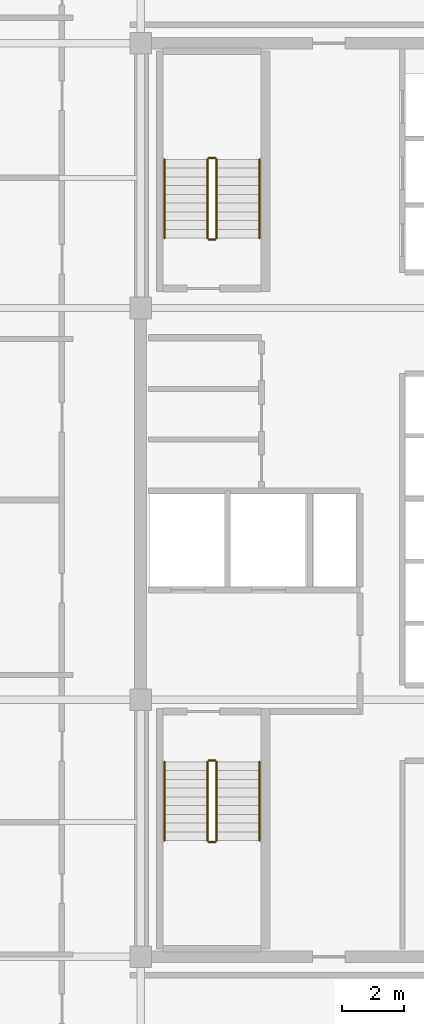
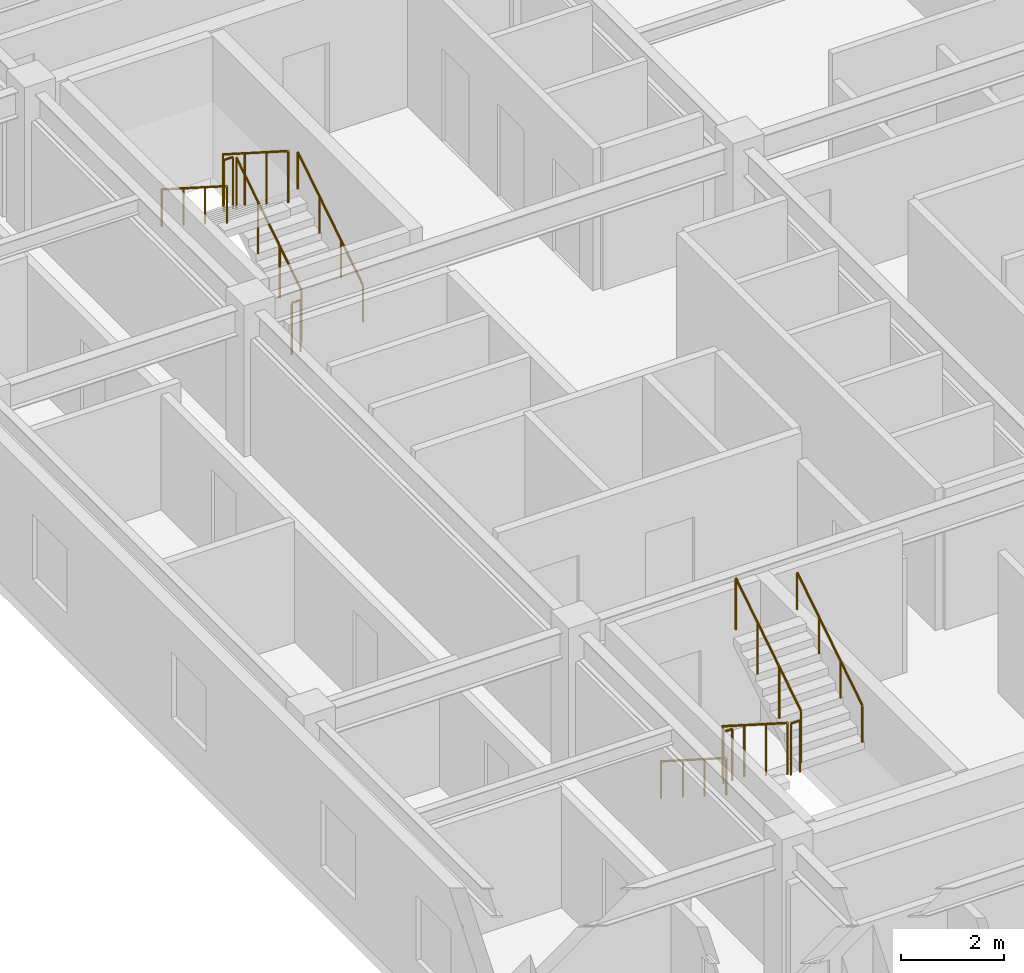
# One storey, part 9 of 9: 12 railings.
"""IFC4 building model written with IfcOpenShell, lengths in metres."""

from ifc_helpers import new_model, si_unit, direction, frame, origin, origin_2d, place, context, subcontext, project, spatial, circle, extrude, material, type_object, element, save


model = new_model("IFC4")

# Units and contexts
model_context = context("Model", 3, precision=1e-05, world=origin(), true_north=direction((0.0, 1.0)))
body_context = subcontext(model_context, "Body", "Model", "MODEL_VIEW")
ifc_project = project(units=[si_unit("LENGTHUNIT", "METRE"), si_unit("AREAUNIT", "SQUARE_METRE"), si_unit("VOLUMEUNIT", "CUBIC_METRE"), si_unit("PLANEANGLEUNIT", "RADIAN"), si_unit("MASSUNIT", "GRAM", prefix="KILO")], contexts=[model_context])

# Site, building, storey
site_placement = place(None, origin())
site = spatial("IfcSite", under=ifc_project, at=site_placement, CompositionType="ELEMENT")
building_placement = place(site_placement, origin())
building = spatial("IfcBuilding", under=site, at=building_placement, Name="Ochreholt Gables", CompositionType="ELEMENT")
storey_placement = place(building_placement, frame((0.0, 0.0, 162.60009765625)))
storey = spatial("IfcBuildingStorey", under=building, at=storey_placement, Name="L42", CompositionType="ELEMENT", Elevation=162.60009765625)

# Railings
ifc_material_1 = material(Name="Painted Steel Stair Guardrail", Category="steel")
railing_type_1 = type_object("IfcRailingType", Name="RL-ST-GUARD", PredefinedType="GUARDRAIL", material=ifc_material_1)
railing_1_placement = place(storey_placement, frame((26.35009765625, 15.5400390625, 0.179931640625)))
element("IfcRailing", 1, at=railing_1_placement, inside=storey, type_object=railing_type_1, Name="L42 ST-1 stair guard 1", PredefinedType="GUARDRAIL", context=body_context, shape_type="SweptSolid", body=[
    extrude(circle(Radius=0.02392578125, at=origin_2d()), frame((0.0, 0.0, 1.22607421875), z_axis=(0.0, -0.842949592929, 0.537992549931), x_axis=(1.0, 0.0, 0.0)), (0.0, 0.0, 1.0), 3.010986328125),
    extrude(circle(Radius=0.02099609375, at=origin_2d()), origin(), (0.0, 0.0, 1.0), 1.201904296875),
    extrude(circle(Radius=0.02099609375, at=origin_2d()), frame((0.0, -0.845947265625, 0.5400390625)), (0.0, 0.0, 1.0), 1.201904296875),
    extrude(circle(Radius=0.02099609375, at=origin_2d()), frame((0.0, -1.692138671875, 1.079833984375)), (0.0, 0.0, 1.0), 1.201904296875),
    extrude(circle(Radius=0.02099609375, at=origin_2d()), frame((0.0, -2.5380859375, 1.619873046875)), (0.0, 0.0, 1.0), 1.201904296875),
])
railing_2_placement = place(storey_placement, frame((26.39990234375, 12.951904296875, 1.7998046875)))
element("IfcRailing", 2, at=railing_2_placement, inside=storey, type_object=railing_type_1, Name="L42 ST-1 stair guard 2", PredefinedType="GUARDRAIL", context=body_context, shape_type="SweptSolid", body=[
    extrude(circle(Radius=0.02392578125, at=origin_2d()), frame((0.0, 0.0, 1.22607421875), z_axis=(1.0, 0.0, 0.0), x_axis=(0.0, 1.0, 0.0)), (0.0, 0.0, 1.0), 0.2001953125),
    extrude(circle(Radius=0.02099609375, at=origin_2d()), origin(), (0.0, 0.0, 1.0), 1.201904296875),
    extrude(circle(Radius=0.02099609375, at=origin_2d()), frame((0.2001953125, 0.0, 0.0)), (0.0, 0.0, 1.0), 1.201904296875),
])
railing_3_placement = place(storey_placement, frame((26.64990234375, 13.001953125, 1.97998046875)))
element("IfcRailing", 3, at=railing_3_placement, inside=storey, type_object=railing_type_1, Name="L42 ST-1 stair guard 3", PredefinedType="GUARDRAIL", context=body_context, shape_type="SweptSolid", body=[
    extrude(circle(Radius=0.02392578125, at=origin_2d()), frame((0.0, 0.0, 1.22607421875), z_axis=(0.0, 0.842949592929, 0.537992549931), x_axis=(-1.0, 0.0, 0.0)), (0.0, 0.0, 1.0), 3.010986328125),
    extrude(circle(Radius=0.02099609375, at=origin_2d()), origin(), (0.0, 0.0, 1.0), 1.201904296875),
    extrude(circle(Radius=0.02099609375, at=origin_2d()), frame((0.0, 0.845947265625, 0.5400390625)), (0.0, 0.0, 1.0), 1.201904296875),
    extrude(circle(Radius=0.02099609375, at=origin_2d()), frame((0.0, 1.692138671875, 1.079833984375)), (0.0, 0.0, 1.0), 1.201904296875),
    extrude(circle(Radius=0.02099609375, at=origin_2d()), frame((0.0, 2.5380859375, 1.619873046875)), (0.0, 0.0, 1.0), 1.201904296875),
])
railing_4_placement = place(storey_placement, frame((26.39990234375, 15.590087890625, 0.0)))
element("IfcRailing", 4, at=railing_4_placement, inside=storey, type_object=railing_type_1, Name="L42 ST-1 stair guard 4", PredefinedType="GUARDRAIL", context=body_context, shape_type="SweptSolid", body=[
    extrude(circle(Radius=0.02392578125, at=origin_2d()), frame((0.0, 0.0, 1.22607421875), z_axis=(1.0, 0.0, 0.0), x_axis=(0.0, 1.0, 0.0)), (0.0, 0.0, 1.0), 0.2001953125),
    extrude(circle(Radius=0.02099609375, at=origin_2d()), origin(), (0.0, 0.0, 1.0), 1.201904296875),
    extrude(circle(Radius=0.02099609375, at=origin_2d()), frame((0.2001953125, 0.0, 0.0)), (0.0, 0.0, 1.0), 1.201904296875),
])
railing_5_placement = place(storey_placement, frame((26.64990234375, 32.4599609375, 0.179931640625)))
element("IfcRailing", 5, at=railing_5_placement, inside=storey, type_object=railing_type_1, Name="L42 ST-2 stair guard 1", PredefinedType="GUARDRAIL", context=body_context, shape_type="SweptSolid", body=[
    extrude(circle(Radius=0.02392578125, at=origin_2d()), frame((0.0, 0.0, 1.22607421875), z_axis=(0.0, 0.842949592929, 0.537992549931), x_axis=(-1.0, 0.0, 0.0)), (0.0, 0.0, 1.0), 3.010986328125),
    extrude(circle(Radius=0.02099609375, at=origin_2d()), origin(), (0.0, 0.0, 1.0), 1.201904296875),
    extrude(circle(Radius=0.02099609375, at=origin_2d()), frame((0.0, 0.845947265625, 0.5400390625)), (0.0, 0.0, 1.0), 1.201904296875),
    extrude(circle(Radius=0.02099609375, at=origin_2d()), frame((0.0, 1.692138671875, 1.079833984375)), (0.0, 0.0, 1.0), 1.201904296875),
    extrude(circle(Radius=0.02099609375, at=origin_2d()), frame((0.0, 2.5380859375, 1.619873046875)), (0.0, 0.0, 1.0), 1.201904296875),
])
railing_6_placement = place(storey_placement, frame((26.60009765625, 35.048095703125, 1.7998046875)))
element("IfcRailing", 6, at=railing_6_placement, inside=storey, type_object=railing_type_1, Name="L42 ST-2 stair guard 2", PredefinedType="GUARDRAIL", context=body_context, shape_type="SweptSolid", body=[
    extrude(circle(Radius=0.02392578125, at=origin_2d()), frame((0.0, 0.0, 1.22607421875), z_axis=(-1.0, 0.0, 0.0), x_axis=(0.0, -1.0, 0.0)), (0.0, 0.0, 1.0), 0.2001953125),
    extrude(circle(Radius=0.02099609375, at=origin_2d()), origin(), (0.0, 0.0, 1.0), 1.201904296875),
    extrude(circle(Radius=0.02099609375, at=origin_2d()), frame((-0.2001953125, 0.0, 0.0)), (0.0, 0.0, 1.0), 1.201904296875),
])
railing_7_placement = place(storey_placement, frame((26.35009765625, 34.998046875, 1.97998046875)))
element("IfcRailing", 7, at=railing_7_placement, inside=storey, type_object=railing_type_1, Name="L42 ST-2 stair guard 3", PredefinedType="GUARDRAIL", context=body_context, shape_type="SweptSolid", body=[
    extrude(circle(Radius=0.02392578125, at=origin_2d()), frame((0.0, 0.0, 1.22607421875), z_axis=(0.0, -0.842949592929, 0.537992549931), x_axis=(1.0, 0.0, 0.0)), (0.0, 0.0, 1.0), 3.010986328125),
    extrude(circle(Radius=0.02099609375, at=origin_2d()), origin(), (0.0, 0.0, 1.0), 1.201904296875),
    extrude(circle(Radius=0.02099609375, at=origin_2d()), frame((0.0, -0.845947265625, 0.5400390625)), (0.0, 0.0, 1.0), 1.201904296875),
    extrude(circle(Radius=0.02099609375, at=origin_2d()), frame((0.0, -1.692138671875, 1.079833984375)), (0.0, 0.0, 1.0), 1.201904296875),
    extrude(circle(Radius=0.02099609375, at=origin_2d()), frame((0.0, -2.5380859375, 1.619873046875)), (0.0, 0.0, 1.0), 1.201904296875),
])
railing_8_placement = place(storey_placement, frame((26.60009765625, 32.409912109375, 0.0)))
element("IfcRailing", 8, at=railing_8_placement, inside=storey, type_object=railing_type_1, Name="L42 ST-2 stair guard 4", PredefinedType="GUARDRAIL", context=body_context, shape_type="SweptSolid", body=[
    extrude(circle(Radius=0.02392578125, at=origin_2d()), frame((0.0, 0.0, 1.22607421875), z_axis=(-1.0, 0.0, 0.0), x_axis=(0.0, -1.0, 0.0)), (0.0, 0.0, 1.0), 0.2001953125),
    extrude(circle(Radius=0.02099609375, at=origin_2d()), origin(), (0.0, 0.0, 1.0), 1.201904296875),
    extrude(circle(Radius=0.02099609375, at=origin_2d()), frame((-0.2001953125, 0.0, 0.0)), (0.0, 0.0, 1.0), 1.201904296875),
])
ifc_material_2 = material(Name="Brushed Stainless Steel Wall Handrail", Category="steel")
railing_type_2 = type_object("IfcRailingType", Name="RL-ST-HAND", PredefinedType="HANDRAIL", material=ifc_material_2)
railing_9_placement = place(storey_placement, frame((24.969970703125, 15.5400390625, 0.179931640625)))
element("IfcRailing", 9, at=railing_9_placement, inside=storey, type_object=railing_type_2, Name="L42 ST-1 stair handrail 1", PredefinedType="HANDRAIL", context=body_context, shape_type="SweptSolid", body=[
    extrude(circle(Radius=0.02392578125, at=origin_2d()), frame((0.0, 0.0, 0.8759765625), z_axis=(0.0, -0.842949592929, 0.537992549931), x_axis=(1.0, 0.0, 0.0)), (0.0, 0.0, 1.0), 3.010986328125),
    extrude(circle(Radius=0.02099609375, at=origin_2d()), origin(), (0.0, 0.0, 1.0), 0.851806640625),
    extrude(circle(Radius=0.02099609375, at=origin_2d()), frame((0.0, -0.845947265625, 0.5400390625)), (0.0, 0.0, 1.0), 0.851806640625),
    extrude(circle(Radius=0.02099609375, at=origin_2d()), frame((0.0, -1.692138671875, 1.079833984375)), (0.0, 0.0, 1.0), 0.851806640625),
    extrude(circle(Radius=0.02099609375, at=origin_2d()), frame((0.0, -2.5380859375, 1.619873046875)), (0.0, 0.0, 1.0), 0.851806640625),
])
for number, where, name in (
    (10, (28.030029296875, 13.001953125, 1.97998046875), "L42 ST-1 stair handrail 2"),
    (11, (28.030029296875, 32.4599609375, 0.179931640625), "L42 ST-2 stair handrail 1"),
):
    element("IfcRailing", number, at=place(storey_placement, frame(where)), inside=storey, type_object=railing_type_2, Name=name, PredefinedType="HANDRAIL", context=body_context, shape_type="SweptSolid", body=[
        extrude(circle(Radius=0.02392578125, at=origin_2d()), frame((0.0, 0.0, 0.8759765625), z_axis=(0.0, 0.842949592929, 0.537992549931), x_axis=(-1.0, 0.0, 0.0)), (0.0, 0.0, 1.0), 3.010986328125),
        extrude(circle(Radius=0.02099609375, at=origin_2d()), origin(), (0.0, 0.0, 1.0), 0.851806640625),
        extrude(circle(Radius=0.02099609375, at=origin_2d()), frame((0.0, 0.845947265625, 0.5400390625)), (0.0, 0.0, 1.0), 0.851806640625),
        extrude(circle(Radius=0.02099609375, at=origin_2d()), frame((0.0, 1.692138671875, 1.079833984375)), (0.0, 0.0, 1.0), 0.851806640625),
        extrude(circle(Radius=0.02099609375, at=origin_2d()), frame((0.0, 2.5380859375, 1.619873046875)), (0.0, 0.0, 1.0), 0.851806640625),
    ])
railing_10_placement = place(storey_placement, frame((24.969970703125, 34.998046875, 1.97998046875)))
element("IfcRailing", 12, at=railing_10_placement, inside=storey, type_object=railing_type_2, Name="L42 ST-2 stair handrail 2", PredefinedType="HANDRAIL", context=body_context, shape_type="SweptSolid", body=[
    extrude(circle(Radius=0.02392578125, at=origin_2d()), frame((0.0, 0.0, 0.8759765625), z_axis=(0.0, -0.842949592929, 0.537992549931), x_axis=(1.0, 0.0, 0.0)), (0.0, 0.0, 1.0), 3.010986328125),
    extrude(circle(Radius=0.02099609375, at=origin_2d()), origin(), (0.0, 0.0, 1.0), 0.851806640625),
    extrude(circle(Radius=0.02099609375, at=origin_2d()), frame((0.0, -0.845947265625, 0.5400390625)), (0.0, 0.0, 1.0), 0.851806640625),
    extrude(circle(Radius=0.02099609375, at=origin_2d()), frame((0.0, -1.692138671875, 1.079833984375)), (0.0, 0.0, 1.0), 0.851806640625),
    extrude(circle(Radius=0.02099609375, at=origin_2d()), frame((0.0, -2.5380859375, 1.619873046875)), (0.0, 0.0, 1.0), 0.851806640625),
])

save(model, "model.ifc")
